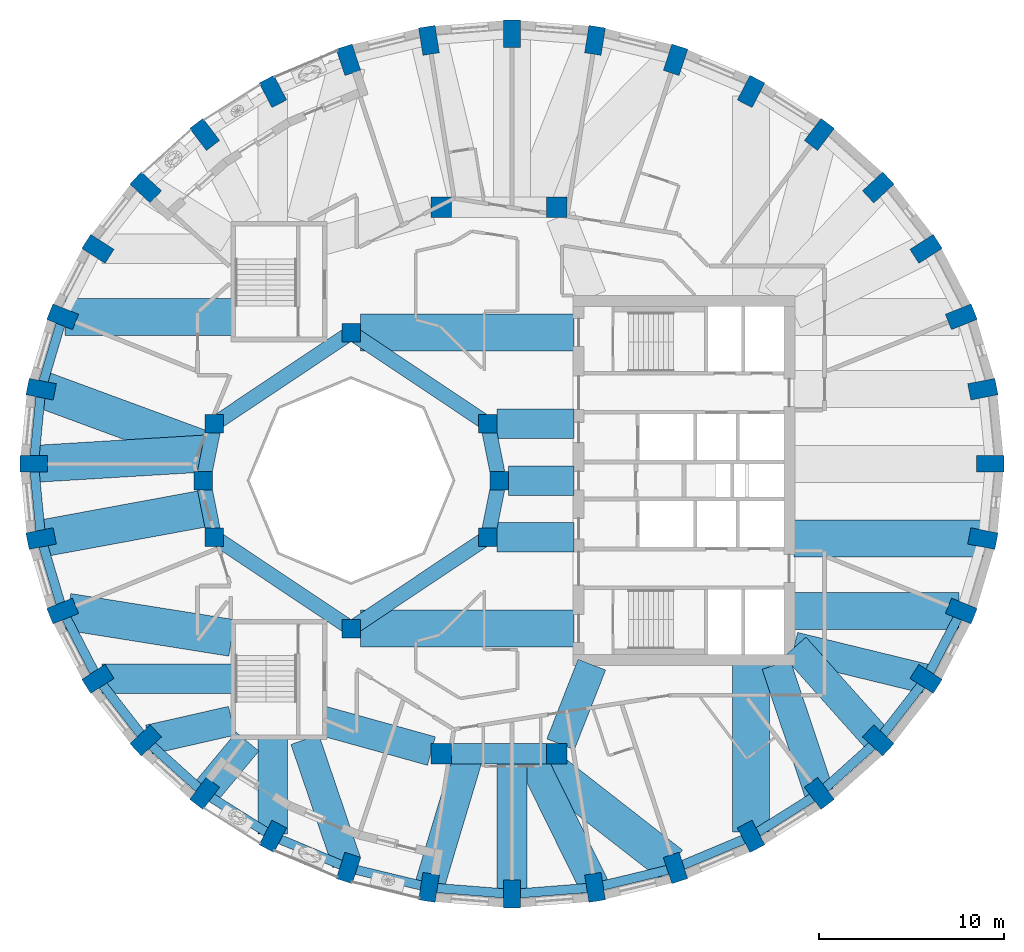
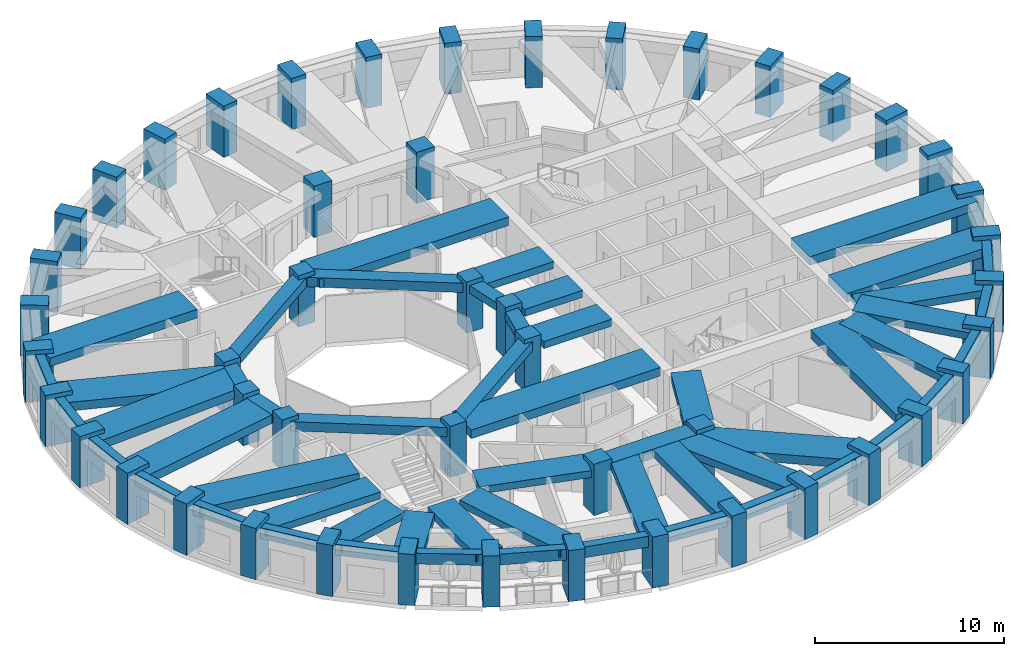
# One storey, part 1 of 12: 54 beams, 48 columns.
"""IFC4 building model written with IfcOpenShell, lengths in metres."""

import ifcopenshell
import ifcopenshell.guid

model = None  # the IFC model being written
_history = None  # IfcOwnerHistory: only IFC2X3 demands one
_inside = {}  # id of a spatial element -> (the spatial element, [elements in it])
_under = {}  # id of a project, library or spatial element -> (it, [spatial elements below it])
_declared = {}  # id of a project -> (the project, [libraries it declares])
_typed = {}  # id of a type object -> (the type object, [elements of that type])
_made_of = {}  # id of a material, layer set ... -> (it, [elements and type objects made of it])


def new_model(schema):
    """Start an empty IFC model of exactly this schema.

    Asked for "IFC4X3", IfcOpenShell would pick the latest addendum, in which some entities
    have other attributes; the version numbers below select the first issue.
    IFC2X3 requires an IfcOwnerHistory on every rooted entity: one is made here for all.
    """
    global model, _history
    if schema == "IFC4X3":
        model = ifcopenshell.file(schema_version=(4, 3, 0, 0))
    else:
        model = ifcopenshell.file(schema=schema)
    _inside.clear()
    _under.clear()
    _declared.clear()
    _typed.clear()
    _made_of.clear()
    _history = None
    if model.schema == "IFC2X3":
        org = make("IfcOrganization", Name="unknown")
        user = make(
            "IfcPersonAndOrganization",
            ThePerson=make("IfcPerson", FamilyName="unknown"),
            TheOrganization=org,
        )
        app = make(
            "IfcApplication",
            ApplicationDeveloper=org,
            Version="unknown",
            ApplicationFullName="unknown",
            ApplicationIdentifier="unknown",
        )
        _history = make(
            "IfcOwnerHistory",
            OwningUser=user,
            OwningApplication=app,
            ChangeAction="ADDED",
            CreationDate=0,
        )
    return model


def make(cls, **values):
    """One entity of the class cls with the attributes given. An attribute that is None is left unset."""
    return model.create_entity(
        cls, **{name: value for name, value in values.items() if value is not None}
    )


def rooted(cls, **values):
    """An entity with a GlobalId (a new one), such as an element, a storey or a relation."""
    return make(cls, GlobalId=ifcopenshell.guid.new(), OwnerHistory=_history, **values)


def si_unit(unit_type, name, prefix=None):
    """IfcSIUnit, for example si_unit("LENGTHUNIT", "METRE", prefix="MILLI")."""
    return make("IfcSIUnit", UnitType=unit_type, Prefix=prefix, Name=name)


def assignment(units):
    """IfcUnitAssignment: the units of a project."""
    return None if units is None else make("IfcUnitAssignment", Units=units)


def point(xyz):
    """IfcCartesianPoint."""
    return None if xyz is None else make("IfcCartesianPoint", Coordinates=xyz)


def direction(xyz):
    """IfcDirection."""
    return None if xyz is None else make("IfcDirection", DirectionRatios=xyz)


def frame(location, z_axis=None, x_axis=None):
    """IfcAxis2Placement3D, a coordinate frame: its origin and axes. An axis left out is left unset."""
    return make(
        "IfcAxis2Placement3D",
        Location=point(location),
        Axis=direction(z_axis),
        RefDirection=direction(x_axis),
    )


def frame_2d(location, x_axis=None):
    """IfcAxis2Placement2D, a coordinate frame in the plane: its origin and x axis."""
    return make(
        "IfcAxis2Placement2D", Location=point(location), RefDirection=direction(x_axis)
    )


def origin():
    """The frame at (0, 0, 0) with its axes left unset."""
    return frame((0.0, 0.0, 0.0))


def origin_2d():
    """The frame at (0, 0) in the plane with its x axis left unset."""
    return frame_2d((0.0, 0.0))


def place(relative_to, where):
    """IfcLocalPlacement: puts the frame where relative to a parent placement (None: the world)."""
    return make(
        "IfcLocalPlacement", PlacementRelTo=relative_to, RelativePlacement=where
    )


def context(
    kind, dimensions, precision=None, world=None, true_north=None, identifier=None
):
    """IfcGeometricRepresentationContext, for example the 3D "Model" context."""
    return make(
        "IfcGeometricRepresentationContext",
        ContextIdentifier=identifier,
        ContextType=kind,
        CoordinateSpaceDimension=dimensions,
        Precision=precision,
        WorldCoordinateSystem=world,
        TrueNorth=true_north,
    )


def subcontext(parent, identifier, kind, view, scale=None):
    """IfcGeometricRepresentationSubContext, for example "Body" below "Model"."""
    return make(
        "IfcGeometricRepresentationSubContext",
        ContextIdentifier=identifier,
        ContextType=kind,
        ParentContext=parent,
        TargetScale=scale,
        TargetView=view,
    )


def project(units=None, contexts=None):
    """IfcProject with its units and contexts."""
    return rooted(
        "IfcProject",
        Name="project",
        RepresentationContexts=contexts,
        UnitsInContext=assignment(units),
    )


def spatial(cls, under=None, at=None, **own):
    """A site, building, storey or space (cls), placed at a placement, below another one or the project."""
    s = rooted(cls, ObjectPlacement=at, **own)
    if under is not None:
        _under.setdefault(under.id(), (under, []))[1].append(s)
    return s


def profile(cls, at=None, kind="AREA", **sizes):
    """A parametric profile (cls). Its sizes go by their IFC names, for example OverallWidth=200.0."""
    return make(cls, ProfileType=kind, Position=at, **sizes)


def rectangle(**sizes):
    """IfcRectangleProfileDef."""
    return profile("IfcRectangleProfileDef", **sizes)


def extrude(swept, where, along, depth):
    """IfcExtrudedAreaSolid: the profile swept, set in the frame where, extruded along a direction by depth."""
    return make(
        "IfcExtrudedAreaSolid",
        SweptArea=swept,
        Position=where,
        ExtrudedDirection=direction(along),
        Depth=depth,
    )


def shape(context_of_items, identifier, shape_type, items):
    """IfcShapeRepresentation: the items that make up one representation, for example the "Body"."""
    return make(
        "IfcShapeRepresentation",
        ContextOfItems=context_of_items,
        RepresentationIdentifier=identifier,
        RepresentationType=shape_type,
        Items=items,
    )


def material(Name=None, Category=None):
    """IfcMaterial."""
    return make("IfcMaterial", Name=Name, Category=Category)


def material_profile(
    of_material, cross_section, Name=None, Category=None, Priority=None
):
    """IfcMaterialProfile: a cross section and its material."""
    return make(
        "IfcMaterialProfile",
        Name=Name,
        Material=of_material,
        Profile=cross_section,
        Priority=Priority,
        Category=Category,
    )


def profile_set(profiles, Name=None, composite=None):
    """IfcMaterialProfileSet."""
    return make(
        "IfcMaterialProfileSet",
        Name=Name,
        MaterialProfiles=profiles,
        CompositeProfile=composite,
    )


def made_of(thing, what):
    """Note that an element or type object is made of a material, layer set ...; save() writes the relation."""
    if what is not None:
        _made_of.setdefault(what.id(), (what, []))[1].append(thing)
    return thing


def type_object(cls, material=None, **own):
    """A type object (cls), such as IfcWallType, which elements share."""
    return made_of(rooted(cls, **own), material)


def element(
    cls,
    number,
    at=None,
    inside=None,
    cuts=None,
    type_object=None,
    material=None,
    context=None,
    identifier="Body",
    shape_type=None,
    held_by="IfcProductDefinitionShape",
    body=None,
    shapes=None,
    **own,
):
    """One element of the class cls, such as IfcWall. Its Tag is "e" and its number.

    at: its placement. inside: the storey or other place that contains it. cuts: it is an
    opening in that element (IfcRelVoidsElement). A single representation is given by context,
    identifier, shape_type and body (its items); several are given by shapes. held_by: the class
    of the entity that holds the representations. save() writes the other relations.
    """
    e = rooted(cls, Tag="e%d" % number, ObjectPlacement=at, **own)
    if body is not None:
        shapes = [shape(context, identifier, shape_type, body)]
    if shapes is not None:
        e.Representation = make(held_by, Representations=shapes)
    if inside is not None:
        _inside.setdefault(inside.id(), (inside, []))[1].append(e)
    if cuts is not None:
        rooted(
            "IfcRelVoidsElement", RelatingBuildingElement=cuts, RelatedOpeningElement=e
        )
    if type_object is not None:
        _typed.setdefault(type_object.id(), (type_object, []))[1].append(e)
    return made_of(e, material)


def aggregate(whole, parts):
    """IfcRelAggregates: a whole, such as a stair, and the parts it consists of."""
    return rooted("IfcRelAggregates", RelatingObject=whole, RelatedObjects=parts)


def save(model, path):
    """Write the relations noted so far, then the file.

    IfcRelAggregates (storeys below a building ...), IfcRelContainedInSpatialStructure (elements
    in a storey), IfcRelDefinesByType, IfcRelAssociatesMaterial and IfcRelDeclares: one each for
    every whole, place, type object, material and project.
    """
    for whole, parts in _under.values():
        aggregate(whole, parts)
    for where, things in _inside.values():
        rooted(
            "IfcRelContainedInSpatialStructure",
            RelatedElements=things,
            RelatingStructure=where,
        )
    for kind, things in _typed.values():
        rooted("IfcRelDefinesByType", RelatedObjects=things, RelatingType=kind)
    for what, things in _made_of.values():
        rooted("IfcRelAssociatesMaterial", RelatedObjects=things, RelatingMaterial=what)
    for by, libraries in _declared.values():
        rooted("IfcRelDeclares", RelatingContext=by, RelatedDefinitions=libraries)
    model.write(path)


model = new_model("IFC4")

# Units and contexts
model_context = context("Model", 3, precision=1e-05, world=origin(), true_north=direction((0.0, 1.0)))
body_context = subcontext(model_context, "Body", "Model", "MODEL_VIEW")
ifc_project = project(units=[si_unit("LENGTHUNIT", "METRE"), si_unit("AREAUNIT", "SQUARE_METRE"), si_unit("VOLUMEUNIT", "CUBIC_METRE"), si_unit("PLANEANGLEUNIT", "RADIAN"), si_unit("MASSUNIT", "GRAM", prefix="KILO")], contexts=[model_context])

# Site, building, storey
site_placement = place(None, origin())
site = spatial("IfcSite", under=ifc_project, at=site_placement, CompositionType="ELEMENT")
building_placement = place(site_placement, origin())
building = spatial("IfcBuilding", under=site, at=building_placement, Name="Taillehof Tower", CompositionType="ELEMENT")
storey_placement = place(building_placement, frame((0.0, 0.0, 212.300048828125)))
storey = spatial("IfcBuildingStorey", under=building, at=storey_placement, Name="L60", CompositionType="ELEMENT", Elevation=212.300048828125)

# Columns
ifc_material_1 = material(Name="Concrete C50/60", Category="concrete")
ifc_material_profile_1 = material_profile(ifc_material_1, rectangle(XDim=1.0, YDim=1.0, at=origin_2d()), Name="RC 1000x1000")
ifc_profile_set_1 = profile_set([ifc_material_profile_1], Name="Concrete C50/60")
column_type_1 = type_object("IfcColumnType", Name="Atrium ring column C50/60 1000x1000", PredefinedType="COLUMN", material=ifc_profile_set_1)
for number, where, z_axis, x_axis, name in (
    (1, (0.0, 0.0, 0.0), (0.0, 0.0, 1.0), (1.0, 0.0, 0.0), "Column AC01"),
    (2, (-0.60888671875, 3.0615234375, 0.0), (0.0, 0.0, 1.0), (1.0, 0.0, 0.0), "Column AC02"),
    (3, (-8.0, 8.0, 0.0), (0.0, 0.0, 1.0), (1.0, 0.0, 0.0), "Column AC05"),
    (4, (-15.39111328125, 3.0615234375, 0.0), (0.0, 0.0, 1.0), (1.0, 0.0, 0.0), "Column AC08"),
    (5, (-16.0, 0.0, 0.0), (0.0, 0.0, 1.0), (1.0, 0.0, 0.0), "Column AC09"),
    (6, (-15.39111328125, -3.0615234375, 0.0), (0.0, 0.0, 1.0), (1.0, 0.0, 0.0), "Column AC10"),
    (7, (-8.0, -8.0, 0.0), (0.0, 0.0, 1.0), (1.0, 0.0, 0.0), "Column AC13"),
    (8, (-0.60888671875, -3.0615234375, 0.0), (0.0, 0.0, 1.0), (1.0, 0.0, 0.0), "Column AC16"),
):
    element("IfcColumn", number, at=place(storey_placement, frame(where, z_axis=z_axis, x_axis=x_axis)), inside=storey, type_object=column_type_1, Name=name, PredefinedType="COLUMN", context=body_context, shape_type="SweptSolid", body=[
        extrude(rectangle(XDim=1.0, YDim=1.0, at=origin_2d()), origin(), (0.0, 0.0, 1.0), 3.300048828125),
    ])
ifc_material_2 = material(Name="Concrete C50/60", Category="concrete")
ifc_material_profile_2 = material_profile(ifc_material_2, rectangle(XDim=1.10009765625, YDim=1.10009765625, at=origin_2d()), Name="RC 1100x1100")
ifc_profile_set_2 = profile_set([ifc_material_profile_2], Name="Concrete C50/60")
column_type_2 = type_object("IfcColumnType", Name="Mid-ring column C50/60 1100x1100", PredefinedType="COLUMN", material=ifc_profile_set_2)
for number, where, z_axis, x_axis, name in (
    (9, (3.125732421875, 14.772216796875, 0.0), (0.0, 0.0, 1.0), (1.0, 0.0, 0.0), "Column MC05"),
    (10, (-3.125732421875, 14.772216796875, 0.0), (0.0, 0.0, 1.0), (1.0, 0.0, 0.0), "Column MC06"),
    (11, (-3.125732421875, -14.772216796875, 0.0), (0.0, 0.0, 1.0), (1.0, 0.0, 0.0), "Column MC14"),
    (12, (3.125732421875, -14.772216796875, 0.0), (0.0, 0.0, 1.0), (1.0, 0.0, 0.0), "Column MC15"),
):
    element("IfcColumn", number, at=place(storey_placement, frame(where, z_axis=z_axis, x_axis=x_axis)), inside=storey, type_object=column_type_2, Name=name, PredefinedType="COLUMN", context=body_context, shape_type="SweptSolid", body=[
        extrude(rectangle(XDim=1.10009765625, YDim=1.10009765625, at=origin_2d()), origin(), (0.0, 0.0, 1.0), 3.300048828125),
    ])
ifc_material_3 = material(Name="Concrete C60/75", Category="concrete")
ifc_material_profile_3 = material_profile(ifc_material_3, rectangle(XDim=1.5, YDim=0.89990234375, at=origin_2d()), Name="RC 1500x900")
ifc_profile_set_3 = profile_set([ifc_material_profile_3], Name="Concrete C60/75")
column_type_3 = type_object("IfcColumnType", Name="Ring column C60/75 1500x900", PredefinedType="COLUMN", material=ifc_profile_set_3)
for number, where, z_axis, x_axis, name in (
    (13, (26.550048828125, 0.89990234375, 0.0), (0.0, 0.0, 1.0), (1.0, 0.0, 0.0), "Ring column RC01"),
    (14, (26.1572265625, 4.937255859375, 0.0), (0.0, 0.0, 1.0), (0.981433894538, 0.191800705555, 0.0), "Ring column RC02"),
    (15, (24.990966796875, 8.85205078125, 0.0), (0.0, 0.0, 1.0), (0.927385290523, 0.374107635477, 0.0), "Ring column RC03"),
    (16, (23.086669921875, 12.52490234375, 0.0), (0.0, 0.0, 1.0), (0.84231094199, 0.538991908107, 0.0), "Ring column RC04"),
    (17, (20.502197265625, 15.8447265625, 0.0), (0.0, 0.0, 1.0), (0.732270888356, 0.681013469813, 0.0), "Ring column RC05"),
    (18, (17.316162109375, 18.71044921875, 0.0), (0.0, 0.0, 1.0), (0.60360770772, 0.797281465469, 0.0), "Ring column RC06"),
    (19, (13.625, 21.03515625, 0.0), (0.0, 0.0, 1.0), (0.461993199576, 0.886883466722, 0.0), "Ring column RC07"),
    (20, (9.541259765625, 22.747802734375, 0.0), (0.0, 0.0, 1.0), (0.312001306843, 0.950081672557, 0.0), "Ring column RC08"),
    (21, (5.188720703125, 23.796875, 0.0), (0.0, 0.0, 1.0), (0.157116034607, 0.987580149491, 0.0), "Ring column RC09"),
    (22, (0.699951171875, 24.14990234375, 0.0), (0.0, 0.0, 1.0), (0.0, 1.0, 0.0), "Ring column RC10"),
    (23, (-3.788818359375, 23.796875, 0.0), (0.0, 0.0, 1.0), (-0.157116034607, 0.987580149491, 0.0), "Ring column RC11"),
    (24, (-8.14111328125, 22.747802734375, 0.0), (0.0, 0.0, 1.0), (-0.312001306843, 0.950081672557, 0.0), "Ring column RC12"),
    (25, (-12.22509765625, 21.03515625, 0.0), (0.0, 0.0, 1.0), (-0.461993199576, 0.886883466722, 0.0), "Ring column RC13"),
    (26, (-15.916015625, 18.71044921875, 0.0), (0.0, 0.0, 1.0), (-0.60360770772, 0.797281465469, 0.0), "Ring column RC14"),
    (27, (-19.102294921875, 15.8447265625, 0.0), (0.0, 0.0, 1.0), (-0.732270888356, 0.681013469813, 0.0), "Ring column RC15"),
    (28, (-21.686767578125, 12.52490234375, 0.0), (0.0, 0.0, 1.0), (-0.84231094199, 0.538991908107, 0.0), "Ring column RC16"),
    (29, (-23.591064453125, 8.85205078125, 0.0), (0.0, 0.0, 1.0), (-0.927385290523, 0.374107635477, 0.0), "Ring column RC17"),
    (30, (-24.75732421875, 4.937255859375, 0.0), (0.0, 0.0, 1.0), (-0.981433894538, 0.191800705555, 0.0), "Ring column RC18"),
    (31, (-25.14990234375, 0.89990234375, 0.0), (0.0, 0.0, 1.0), (-1.0, 0.0, 0.0), "Ring column RC19"),
    (32, (-24.75732421875, -3.13720703125, 0.0), (0.0, 0.0, 1.0), (-0.981433894538, -0.191800705555, 0.0), "Ring column RC20"),
    (33, (-23.591064453125, -7.052001953125, 0.0), (0.0, 0.0, 1.0), (-0.927385290523, -0.374107635477, 0.0), "Ring column RC21"),
    (34, (-21.686767578125, -10.72509765625, 0.0), (0.0, 0.0, 1.0), (-0.84231094199, -0.538991908107, 0.0), "Ring column RC22"),
    (35, (-19.102294921875, -14.044921875, 0.0), (0.0, 0.0, 1.0), (-0.732270888356, -0.681013469813, 0.0), "Ring column RC23"),
    (36, (-15.916015625, -16.91064453125, 0.0), (0.0, 0.0, 1.0), (-0.60360770772, -0.797281465469, 0.0), "Ring column RC24"),
    (37, (-12.22509765625, -19.235107421875, 0.0), (0.0, 0.0, 1.0), (-0.461993199576, -0.886883466722, 0.0), "Ring column RC25"),
    (38, (-8.14111328125, -20.94775390625, 0.0), (0.0, 0.0, 1.0), (-0.312001306843, -0.950081672557, 0.0), "Ring column RC26"),
    (39, (-3.788818359375, -21.996826171875, 0.0), (0.0, 0.0, 1.0), (-0.157116034607, -0.987580149491, 0.0), "Ring column RC27"),
    (40, (0.699951171875, -22.35009765625, 0.0), (0.0, 0.0, 1.0), (0.0, -1.0, 0.0), "Ring column RC28"),
    (41, (5.188720703125, -21.996826171875, 0.0), (0.0, 0.0, 1.0), (0.157116034607, -0.987580149491, 0.0), "Ring column RC29"),
    (42, (9.541259765625, -20.94775390625, 0.0), (0.0, 0.0, 1.0), (0.312001306843, -0.950081672557, 0.0), "Ring column RC30"),
    (43, (13.625, -19.235107421875, 0.0), (0.0, 0.0, 1.0), (0.461993199576, -0.886883466722, 0.0), "Ring column RC31"),
    (44, (17.316162109375, -16.91064453125, 0.0), (0.0, 0.0, 1.0), (0.60360770772, -0.797281465469, 0.0), "Ring column RC32"),
    (45, (20.502197265625, -14.044921875, 0.0), (0.0, 0.0, 1.0), (0.732270888356, -0.681013469813, 0.0), "Ring column RC33"),
    (46, (23.086669921875, -10.72509765625, 0.0), (0.0, 0.0, 1.0), (0.84231094199, -0.538991908107, 0.0), "Ring column RC34"),
    (47, (24.990966796875, -7.052001953125, 0.0), (0.0, 0.0, 1.0), (0.927385290523, -0.374107635477, 0.0), "Ring column RC35"),
    (48, (26.1572265625, -3.13720703125, 0.0), (0.0, 0.0, 1.0), (0.981433894538, -0.191800705555, 0.0), "Ring column RC36"),
):
    element("IfcColumn", number, at=place(storey_placement, frame(where, z_axis=z_axis, x_axis=x_axis)), inside=storey, type_object=column_type_3, Name=name, PredefinedType="COLUMN", context=body_context, shape_type="SweptSolid", body=[
        extrude(rectangle(XDim=1.5, YDim=0.89990234375, at=origin_2d()), origin(), (0.0, 0.0, 1.0), 3.300048828125),
    ])

# Beams
ifc_material_4 = material(Name="Concrete C50/60", Category="concrete")
ifc_material_profile_4 = material_profile(ifc_material_4, rectangle(XDim=0.800048828125, YDim=0.5, at=origin_2d()), Name="RC 800x500")
ifc_profile_set_4 = profile_set([ifc_material_profile_4], Name="Concrete C50/60")
beam_type_1 = type_object("IfcBeamType", Name="Atrium ring beam C50/60 800x500", PredefinedType="BEAM", material=ifc_profile_set_4)
for number, where, z_axis, x_axis, name in (
    (49, (0.0, 0.0, 2.77001953125), (-0.195063155143, 0.980790683839, 0.0), (-0.980790683839, -0.195063155143, 0.0), "Atrium ring beam AB01"),
    (50, (-15.39111328125, 3.0615234375, 2.77001953125), (-0.195063155143, -0.980790683839, 0.0), (0.980790683839, -0.195063155143, 0.0), "Atrium ring beam AB04"),
    (51, (-16.0, 0.0, 2.77001953125), (0.195063155143, -0.980790683839, 0.0), (0.980790683839, 0.195063155143, 0.0), "Atrium ring beam AB05"),
    (52, (-0.60888671875, -3.0615234375, 2.77001953125), (0.195063155143, 0.980790683839, 0.0), (-0.980790683839, 0.195063155143, 0.0), "Atrium ring beam AB08"),
):
    element("IfcBeam", number, at=place(storey_placement, frame(where, z_axis=z_axis, x_axis=x_axis)), inside=storey, type_object=beam_type_1, Name=name, PredefinedType="BEAM", context=body_context, shape_type="SweptSolid", body=[
        extrude(rectangle(XDim=0.800048828125, YDim=0.5, at=origin_2d()), origin(), (0.0, 0.0, 1.0), 3.12158203125),
    ])
ifc_material_5 = material(Name="Concrete C50/60", Category="concrete")
ifc_material_profile_5 = material_profile(ifc_material_5, rectangle(XDim=0.800048828125, YDim=0.60009765625, at=origin_2d()), Name="RC 800x600")
ifc_profile_set_5 = profile_set([ifc_material_profile_5], Name="Concrete C50/60")
beam_type_2 = type_object("IfcBeamType", Name="Atrium ring beam C50/60 800x600", PredefinedType="BEAM", material=ifc_profile_set_5)
for number, where, z_axis, x_axis, name in (
    (53, (-0.60888671875, 3.0615234375, 2.719970703125), (-0.831475195687, 0.555561876804, 0.0), (-0.555561876804, -0.831475195687, 0.0), "Atrium ring beam AB02"),
    (54, (-8.0, 8.0, 2.719970703125), (-0.831475195687, -0.555561876804, 0.0), (0.555561876804, -0.831475195687, 0.0), "Atrium ring beam AB03"),
    (55, (-15.39111328125, -3.0615234375, 2.719970703125), (0.831475195687, -0.555561876804, 0.0), (0.555561876804, 0.831475195687, 0.0), "Atrium ring beam AB06"),
    (56, (-8.0, -8.0, 2.719970703125), (0.831475195687, 0.555561876804, 0.0), (-0.555561876804, 0.831475195687, 0.0), "Atrium ring beam AB07"),
):
    element("IfcBeam", number, at=place(storey_placement, frame(where, z_axis=z_axis, x_axis=x_axis)), inside=storey, type_object=beam_type_2, Name=name, PredefinedType="BEAM", context=body_context, shape_type="SweptSolid", body=[
        extrude(rectangle(XDim=0.800048828125, YDim=0.60009765625, at=origin_2d()), origin(), (0.0, 0.0, 1.0), 8.88916015625),
    ])
ifc_material_6 = material(Name="Concrete C50/60", Category="concrete")
ifc_material_profile_6 = material_profile(ifc_material_6, rectangle(XDim=1.10009765625, YDim=0.60009765625, at=origin_2d()), Name="RC 1100x600")
ifc_profile_set_6 = profile_set([ifc_material_profile_6], Name="Concrete C50/60")
beam_type_3 = type_object("IfcBeamType", Name="Mid-ring beam C50/60 1100x600", PredefinedType="BEAM", material=ifc_profile_set_6)
beam_1_placement = place(storey_placement, frame((-3.125732421875, -14.772216796875, 2.719970703125), z_axis=(1.0, 0.0, 0.0), x_axis=(0.0, 1.0, 0.0)))
element("IfcBeam", 57, at=beam_1_placement, inside=storey, type_object=beam_type_3, Name="Mid-ring beam MB02", PredefinedType="BEAM", context=body_context, shape_type="SweptSolid", body=[
    extrude(rectangle(XDim=1.10009765625, YDim=0.60009765625, at=origin_2d()), origin(), (0.0, 0.0, 1.0), 6.25146484375),
])
ifc_material_7 = material(Name="Concrete C50/60", Category="concrete")
ifc_material_profile_7 = material_profile(ifc_material_7, rectangle(XDim=1.60009765625, YDim=0.449951171875, at=origin_2d()), Name="RC 1600x450")
ifc_profile_set_7 = profile_set([ifc_material_profile_7], Name="Concrete C50/60")
beam_type_4 = type_object("IfcBeamType", Name="Radial band beam C50/60 1600x450", PredefinedType="BEAM", material=ifc_profile_set_7)
beam_2_placement = place(storey_placement, frame((-21.47021484375, -10.72509765625, 2.794921875), z_axis=(1.0, 0.0, 0.0), x_axis=(0.0, 1.0, 0.0)))
element("IfcBeam", 58, at=beam_2_placement, inside=storey, type_object=beam_type_4, Name="Radial band beam RB22", PredefinedType="BEAM", context=body_context, shape_type="SweptSolid", body=[
    extrude(rectangle(XDim=1.60009765625, YDim=0.449951171875, at=origin_2d()), origin(), (0.0, 0.0, 1.0), 7.020263671875),
])
beam_3_placement = place(storey_placement, frame((-18.929931640625, -14.005615234375, 2.794921875), z_axis=(0.975193914537, 0.221352273651, 0.0), x_axis=(-0.221352273651, 0.975193914537, 0.0)))
element("IfcBeam", 59, at=beam_3_placement, inside=storey, type_object=beam_type_4, Name="Radial band beam RB23", PredefinedType="BEAM", context=body_context, shape_type="SweptSolid", body=[
    extrude(rectangle(XDim=1.60009765625, YDim=0.449951171875, at=origin_2d()), origin(), (0.0, 0.0, 1.0), 4.5927734375),
])
beam_4_placement = place(storey_placement, frame((-15.916015625, -16.91064453125, 2.794921875), z_axis=(0.638722345868, 0.769437304066, 0.0), x_axis=(-0.769437304066, 0.638722345868, 0.0)))
element("IfcBeam", 60, at=beam_4_placement, inside=storey, type_object=beam_type_4, Name="Radial band beam RB24", PredefinedType="BEAM", context=body_context, shape_type="SweptSolid", body=[
    extrude(rectangle(XDim=1.60009765625, YDim=0.449951171875, at=origin_2d()), origin(), (0.0, 0.0, 1.0), 3.6328125),
])
beam_5_placement = place(storey_placement, frame((-12.22509765625, -19.101318359375, 2.794921875), z_axis=(0.0, 1.0, 0.0), x_axis=(-1.0, 0.0, 0.0)))
element("IfcBeam", 61, at=beam_5_placement, inside=storey, type_object=beam_type_4, Name="Radial band beam RB25", PredefinedType="BEAM", context=body_context, shape_type="SweptSolid", body=[
    extrude(rectangle(XDim=1.60009765625, YDim=0.449951171875, at=origin_2d()), origin(), (0.0, 0.0, 1.0), 5.1513671875),
])
beam_6_placement = place(storey_placement, frame((-8.233642578125, -20.675537109375, 2.794921875), z_axis=(-0.321475101084, 0.94691803203, 0.0), x_axis=(-0.94691803203, -0.321475101084, 0.0)))
element("IfcBeam", 62, at=beam_6_placement, inside=storey, type_object=beam_type_4, Name="Radial band beam RB26", PredefinedType="BEAM", context=body_context, shape_type="SweptSolid", body=[
    extrude(rectangle(XDim=1.60009765625, YDim=0.449951171875, at=origin_2d()), origin(), (0.0, 0.0, 1.0), 7.042236328125),
])
beam_7_placement = place(storey_placement, frame((-3.788818359375, -21.996826171875, 2.794921875), z_axis=(0.286825122153, 0.957982958774, 0.0), x_axis=(-0.957982958774, 0.286825122153, 0.0)))
element("IfcBeam", 63, at=beam_7_placement, inside=storey, type_object=beam_type_4, Name="Radial band beam RB27", PredefinedType="BEAM", context=body_context, shape_type="SweptSolid", body=[
    extrude(rectangle(XDim=1.60009765625, YDim=0.449951171875, at=origin_2d()), origin(), (0.0, 0.0, 1.0), 7.54150390625),
])
beam_8_placement = place(storey_placement, frame((0.699951171875, -22.35009765625, 2.794921875), z_axis=(0.0, 1.0, 0.0), x_axis=(-1.0, 0.0, 0.0)))
element("IfcBeam", 64, at=beam_8_placement, inside=storey, type_object=beam_type_4, Name="Radial band beam RB28", PredefinedType="BEAM", context=body_context, shape_type="SweptSolid", body=[
    extrude(rectangle(XDim=1.60009765625, YDim=0.449951171875, at=origin_2d()), origin(), (0.0, 0.0, 1.0), 7.577880859375),
])
beam_9_placement = place(storey_placement, frame((5.188720703125, -21.996826171875, 2.794921875), z_axis=(-0.442309181818, 0.896862635903, 0.0), x_axis=(-0.896862635903, -0.442309181818, 0.0)))
element("IfcBeam", 65, at=beam_9_placement, inside=storey, type_object=beam_type_4, Name="Radial band beam RB29", PredefinedType="BEAM", context=body_context, shape_type="SweptSolid", body=[
    extrude(rectangle(XDim=1.60009765625, YDim=0.449951171875, at=origin_2d()), origin(), (0.0, 0.0, 1.0), 8.055419921875),
])
beam_10_placement = place(storey_placement, frame((17.314697265625, -16.906494140625, 2.794921875), z_axis=(-0.317775276173, 0.948166058164, 0.0), x_axis=(-0.948166058164, -0.317775276173, 0.0)))
element("IfcBeam", 66, at=beam_10_placement, inside=storey, type_object=beam_type_4, Name="Radial band beam RB32", PredefinedType="BEAM", context=body_context, shape_type="SweptSolid", body=[
    extrude(rectangle(XDim=1.60009765625, YDim=0.449951171875, at=origin_2d()), origin(), (0.0, 0.0, 1.0), 7.333984375),
])
beam_11_placement = place(storey_placement, frame((20.502197265625, -14.044921875, 2.794921875), z_axis=(-0.665845101725, 0.746090008316, 0.0), x_axis=(-0.746090008316, -0.665845101725, 0.0)))
element("IfcBeam", 67, at=beam_11_placement, inside=storey, type_object=beam_type_4, Name="Radial band beam RB33", PredefinedType="BEAM", context=body_context, shape_type="SweptSolid", body=[
    extrude(rectangle(XDim=1.60009765625, YDim=0.449951171875, at=origin_2d()), origin(), (0.0, 0.0, 1.0), 6.766357421875),
])
beam_12_placement = place(storey_placement, frame((23.07568359375, -10.722412109375, 2.794921875), z_axis=(-0.971629977108, 0.236506210459, 0.0), x_axis=(-0.236506210459, -0.971629977108, 0.0)))
element("IfcBeam", 68, at=beam_12_placement, inside=storey, type_object=beam_type_4, Name="Radial band beam RB34", PredefinedType="BEAM", context=body_context, shape_type="SweptSolid", body=[
    extrude(rectangle(XDim=1.60009765625, YDim=0.449951171875, at=origin_2d()), origin(), (0.0, 0.0, 1.0), 7.332275390625),
])
beam_13_placement = place(storey_placement, frame((0.5, 0.0, 2.794921875), z_axis=(1.0, 0.0, 0.0), x_axis=(0.0, 1.0, 0.0)))
element("IfcBeam", 69, at=beam_13_placement, inside=storey, type_object=beam_type_4, Name="Inner band beam IB101", PredefinedType="BEAM", context=body_context, shape_type="SweptSolid", body=[
    extrude(rectangle(XDim=1.60009765625, YDim=0.449951171875, at=origin_2d()), origin(), (0.0, 0.0, 1.0), 3.550048828125),
])
for number, where, z_axis, x_axis, name in (
    (70, (-0.10888671875, 3.0615234375, 2.794921875), (1.0, 0.0, 0.0), (0.0, 1.0, 0.0), "Inner band beam IB102"),
    (71, (-0.10888671875, -3.0615234375, 2.794921875), (1.0, 0.0, 0.0), (0.0, 1.0, 0.0), "Inner band beam IB116"),
):
    element("IfcBeam", number, at=place(storey_placement, frame(where, z_axis=z_axis, x_axis=x_axis)), inside=storey, type_object=beam_type_4, Name=name, PredefinedType="BEAM", context=body_context, shape_type="SweptSolid", body=[
        extrude(rectangle(XDim=1.60009765625, YDim=0.449951171875, at=origin_2d()), origin(), (0.0, 0.0, 1.0), 4.158935546875),
    ])
beam_14_placement = place(storey_placement, frame((-3.655517578125, -14.624755859375, 2.794921875), z_axis=(-0.963459369536, 0.267854518821, 0.0), x_axis=(-0.267854518821, -0.963459369536, 0.0)))
element("IfcBeam", 72, at=beam_14_placement, inside=storey, type_object=beam_type_4, Name="Inner band beam IB214", PredefinedType="BEAM", context=body_context, shape_type="SweptSolid", body=[
    extrude(rectangle(XDim=1.60009765625, YDim=0.449951171875, at=origin_2d()), origin(), (0.0, 0.0, 1.0), 6.096923828125),
])
beam_15_placement = place(storey_placement, frame((3.32666015625, -14.26025390625, 2.794921875), z_axis=(0.365588707223, 0.930776502255, 0.0), x_axis=(-0.930776502255, 0.365588707223, 0.0)))
element("IfcBeam", 73, at=beam_15_placement, inside=storey, type_object=beam_type_4, Name="Inner band beam IB215", PredefinedType="BEAM", context=body_context, shape_type="SweptSolid", body=[
    extrude(rectangle(XDim=1.60009765625, YDim=0.449951171875, at=origin_2d()), origin(), (0.0, 0.0, 1.0), 4.627197265625),
])
ifc_material_8 = material(Name="Concrete C50/60", Category="concrete")
ifc_material_profile_8 = material_profile(ifc_material_8, rectangle(XDim=2.0, YDim=0.550048828125, at=origin_2d()), Name="RC 2000x550")
ifc_profile_set_8 = profile_set([ifc_material_profile_8], Name="Concrete C50/60")
beam_type_5 = type_object("IfcBeamType", Name="Radial band beam C50/60 2000x550", PredefinedType="BEAM", material=ifc_profile_set_8)
beam_16_placement = place(storey_placement, frame((-23.4560546875, 8.85205078125, 2.744873046875), z_axis=(1.0, 0.0, 0.0), x_axis=(0.0, 1.0, 0.0)))
element("IfcBeam", 74, at=beam_16_placement, inside=storey, type_object=beam_type_5, Name="Radial band beam RB17", PredefinedType="BEAM", context=body_context, shape_type="SweptSolid", body=[
    extrude(rectangle(XDim=2.0, YDim=0.550048828125, at=origin_2d()), origin(), (0.0, 0.0, 1.0), 9.006103515625),
])
beam_17_placement = place(storey_placement, frame((-24.75732421875, 4.937255859375, 2.744873046875), z_axis=(0.938209870924, -0.346066811615, 0.0), x_axis=(0.346066811615, 0.938209870924, 0.0)))
element("IfcBeam", 75, at=beam_17_placement, inside=storey, type_object=beam_type_5, Name="Radial band beam RB18", PredefinedType="BEAM", context=body_context, shape_type="SweptSolid", body=[
    extrude(rectangle(XDim=2.0, YDim=0.550048828125, at=origin_2d()), origin(), (0.0, 0.0, 1.0), 9.67138671875),
])
beam_18_placement = place(storey_placement, frame((-25.14990234375, 0.89990234375, 2.744873046875), z_axis=(0.998174819199, 0.060390647592, 0.0), x_axis=(-0.060390647592, 0.998174819199, 0.0)))
element("IfcBeam", 76, at=beam_18_placement, inside=storey, type_object=beam_type_5, Name="Radial band beam RB19", PredefinedType="BEAM", context=body_context, shape_type="SweptSolid", body=[
    extrude(rectangle(XDim=2.0, YDim=0.550048828125, at=origin_2d()), origin(), (0.0, 0.0, 1.0), 9.4599609375),
])
beam_19_placement = place(storey_placement, frame((-24.75732421875, -3.13720703125, 2.744873046875), z_axis=(0.983474452744, 0.181046957445, 0.0), x_axis=(-0.181046957445, 0.983474452744, 0.0)))
element("IfcBeam", 77, at=beam_19_placement, inside=storey, type_object=beam_type_5, Name="Radial band beam RB20", PredefinedType="BEAM", context=body_context, shape_type="SweptSolid", body=[
    extrude(rectangle(XDim=2.0, YDim=0.550048828125, at=origin_2d()), origin(), (0.0, 0.0, 1.0), 9.2021484375),
])
beam_20_placement = place(storey_placement, frame((-23.3076171875, -7.09716796875, 2.744873046875), z_axis=(0.987552836313, -0.157287620272, 0.0), x_axis=(0.157287620272, 0.987552836313, 0.0)))
element("IfcBeam", 78, at=beam_20_placement, inside=storey, type_object=beam_type_5, Name="Radial band beam RB21", PredefinedType="BEAM", context=body_context, shape_type="SweptSolid", body=[
    extrude(rectangle(XDim=2.0, YDim=0.550048828125, at=origin_2d()), origin(), (0.0, 0.0, 1.0), 8.968505859375),
])
beam_21_placement = place(storey_placement, frame((9.3076171875, -20.765625, 2.744873046875), z_axis=(-0.788425359087, 0.615130435882, 0.0), x_axis=(-0.615130435882, -0.788425359087, 0.0)))
element("IfcBeam", 79, at=beam_21_placement, inside=storey, type_object=beam_type_5, Name="Radial band beam RB30", PredefinedType="BEAM", context=body_context, shape_type="SweptSolid", body=[
    extrude(rectangle(XDim=2.0, YDim=0.550048828125, at=origin_2d()), origin(), (0.0, 0.0, 1.0), 9.35595703125),
])
beam_22_placement = place(storey_placement, frame((13.625, -18.99755859375, 2.744873046875), z_axis=(0.0, 1.0, 0.0), x_axis=(-1.0, 0.0, 0.0)))
element("IfcBeam", 80, at=beam_22_placement, inside=storey, type_object=beam_type_5, Name="Radial band beam RB31", PredefinedType="BEAM", context=body_context, shape_type="SweptSolid", body=[
    extrude(rectangle(XDim=2.0, YDim=0.550048828125, at=origin_2d()), origin(), (0.0, 0.0, 1.0), 9.047607421875),
])
beam_23_placement = place(storey_placement, frame((24.856201171875, -7.052001953125, 2.744873046875), z_axis=(-1.0, 0.0, 0.0), x_axis=(0.0, -1.0, 0.0)))
element("IfcBeam", 81, at=beam_23_placement, inside=storey, type_object=beam_type_5, Name="Radial band beam RB35", PredefinedType="BEAM", context=body_context, shape_type="SweptSolid", body=[
    extrude(rectangle(XDim=2.0, YDim=0.550048828125, at=origin_2d()), origin(), (0.0, 0.0, 1.0), 8.90625),
])
beam_24_placement = place(storey_placement, frame((26.1572265625, -3.13720703125, 2.744873046875), z_axis=(-1.0, 0.0, 0.0), x_axis=(0.0, -1.0, 0.0)))
element("IfcBeam", 82, at=beam_24_placement, inside=storey, type_object=beam_type_5, Name="Radial band beam RB36", PredefinedType="BEAM", context=body_context, shape_type="SweptSolid", body=[
    extrude(rectangle(XDim=2.0, YDim=0.550048828125, at=origin_2d()), origin(), (0.0, 0.0, 1.0), 10.207275390625),
])
for number, where, z_axis, x_axis, name in (
    (83, (-7.5, 8.0, 2.744873046875), (1.0, 0.0, 0.0), (0.0, 1.0, 0.0), "Inner band beam IB105"),
    (84, (-7.5, -8.0, 2.744873046875), (1.0, 0.0, 0.0), (0.0, 1.0, 0.0), "Inner band beam IB113"),
):
    element("IfcBeam", number, at=place(storey_placement, frame(where, z_axis=z_axis, x_axis=x_axis)), inside=storey, type_object=beam_type_5, Name=name, PredefinedType="BEAM", context=body_context, shape_type="SweptSolid", body=[
        extrude(rectangle(XDim=2.0, YDim=0.550048828125, at=origin_2d()), origin(), (0.0, 0.0, 1.0), 11.550048828125),
    ])
ifc_material_9 = material(Name="Concrete C50/60", Category="concrete")
ifc_material_profile_9 = material_profile(ifc_material_9, rectangle(XDim=0.5, YDim=0.699951171875, at=origin_2d()), Name="RC 500x700")
ifc_profile_set_9 = profile_set([ifc_material_profile_9], Name="Concrete C50/60")
beam_type_6 = type_object("IfcBeamType", Name="Spandrel beam C50/60 500x700", PredefinedType="SPANDREL", material=ifc_profile_set_9)
beam_25_placement = place(storey_placement, frame((-23.591064453125, 8.85205078125, 2.669921875), z_axis=(-0.285510458946, -0.9583755933, 0.0), x_axis=(0.9583755933, -0.285510458946, 0.0)))
element("IfcBeam", 85, at=beam_25_placement, inside=storey, type_object=beam_type_6, Name="Spandrel beam SB17", PredefinedType="SPANDREL", context=body_context, shape_type="SweptSolid", body=[
    extrude(rectangle(XDim=0.5, YDim=0.699951171875, at=origin_2d()), origin(), (0.0, 0.0, 1.0), 4.084716796875),
])
beam_26_placement = place(storey_placement, frame((-24.75732421875, 4.937255859375, 2.669921875), z_axis=(-0.096780051712, -0.995305793006, 0.0), x_axis=(0.995305793006, -0.096780051712, 0.0)))
element("IfcBeam", 86, at=beam_26_placement, inside=storey, type_object=beam_type_6, Name="Spandrel beam SB18", PredefinedType="SPANDREL", context=body_context, shape_type="SweptSolid", body=[
    extrude(rectangle(XDim=0.5, YDim=0.699951171875, at=origin_2d()), origin(), (0.0, 0.0, 1.0), 4.056396484375),
])
beam_27_placement = place(storey_placement, frame((-25.14990234375, 0.89990234375, 2.669921875), z_axis=(0.096785849576, -0.995305229225, 0.0), x_axis=(0.995305229225, 0.096785849576, 0.0)))
element("IfcBeam", 87, at=beam_27_placement, inside=storey, type_object=beam_type_6, Name="Spandrel beam SB19", PredefinedType="SPANDREL", context=body_context, shape_type="SweptSolid", body=[
    extrude(rectangle(XDim=0.5, YDim=0.699951171875, at=origin_2d()), origin(), (0.0, 0.0, 1.0), 4.05615234375),
])
beam_28_placement = place(storey_placement, frame((-24.75732421875, -3.13720703125, 2.669921875), z_axis=(0.285510458946, -0.9583755933, 0.0), x_axis=(0.9583755933, 0.285510458946, 0.0)))
element("IfcBeam", 88, at=beam_28_placement, inside=storey, type_object=beam_type_6, Name="Spandrel beam SB20", PredefinedType="SPANDREL", context=body_context, shape_type="SweptSolid", body=[
    extrude(rectangle(XDim=0.5, YDim=0.699951171875, at=origin_2d()), origin(), (0.0, 0.0, 1.0), 4.084716796875),
])
beam_29_placement = place(storey_placement, frame((-23.591064453125, -7.052001953125, 2.669921875), z_axis=(0.460265491458, -0.887781322947, 0.0), x_axis=(0.887781322947, 0.460265491458, 0.0)))
element("IfcBeam", 89, at=beam_29_placement, inside=storey, type_object=beam_type_6, Name="Spandrel beam SB21", PredefinedType="SPANDREL", context=body_context, shape_type="SweptSolid", body=[
    extrude(rectangle(XDim=0.5, YDim=0.699951171875, at=origin_2d()), origin(), (0.0, 0.0, 1.0), 4.137451171875),
])
beam_30_placement = place(storey_placement, frame((-21.686767578125, -10.72509765625, 2.669921875), z_axis=(0.614294081938, -0.789077170432, 0.0), x_axis=(0.789077170432, 0.614294081938, 0.0)))
element("IfcBeam", 90, at=beam_30_placement, inside=storey, type_object=beam_type_6, Name="Spandrel beam SB22", PredefinedType="SPANDREL", context=body_context, shape_type="SweptSolid", body=[
    extrude(rectangle(XDim=0.5, YDim=0.699951171875, at=origin_2d()), origin(), (0.0, 0.0, 1.0), 4.207275390625),
])
beam_31_placement = place(storey_placement, frame((-19.102294921875, -14.044921875, 2.669921875), z_axis=(0.743517893617, -0.668716039789, 0.0), x_axis=(0.668716039789, 0.743517893617, 0.0)))
element("IfcBeam", 91, at=beam_31_placement, inside=storey, type_object=beam_type_6, Name="Spandrel beam SB23", PredefinedType="SPANDREL", context=body_context, shape_type="SweptSolid", body=[
    extrude(rectangle(XDim=0.5, YDim=0.699951171875, at=origin_2d()), origin(), (0.0, 0.0, 1.0), 4.285400390625),
])
beam_32_placement = place(storey_placement, frame((-15.916015625, -16.91064453125, 2.669921875), z_axis=(0.846175819179, -0.532903821564, 0.0), x_axis=(0.532903821564, 0.846175819179, 0.0)))
element("IfcBeam", 92, at=beam_32_placement, inside=storey, type_object=beam_type_6, Name="Spandrel beam SB24", PredefinedType="SPANDREL", context=body_context, shape_type="SweptSolid", body=[
    extrude(rectangle(XDim=0.5, YDim=0.699951171875, at=origin_2d()), origin(), (0.0, 0.0, 1.0), 4.36181640625),
])
beam_33_placement = place(storey_placement, frame((-12.22509765625, -19.235107421875, 2.669921875), z_axis=(0.922193747603, -0.386728188632, 0.0), x_axis=(0.386728188632, 0.922193747603, 0.0)))
element("IfcBeam", 93, at=beam_33_placement, inside=storey, type_object=beam_type_6, Name="Spandrel beam SB25", PredefinedType="SPANDREL", context=body_context, shape_type="SweptSolid", body=[
    extrude(rectangle(XDim=0.5, YDim=0.699951171875, at=origin_2d()), origin(), (0.0, 0.0, 1.0), 4.428466796875),
])
beam_34_placement = place(storey_placement, frame((-8.14111328125, -20.94775390625, 2.669921875), z_axis=(0.972157646478, -0.234327784087, 0.0), x_axis=(0.234327784087, 0.972157646478, 0.0)))
element("IfcBeam", 94, at=beam_34_placement, inside=storey, type_object=beam_type_6, Name="Spandrel beam SB26", PredefinedType="SPANDREL", context=body_context, shape_type="SweptSolid", body=[
    extrude(rectangle(XDim=0.5, YDim=0.699951171875, at=origin_2d()), origin(), (0.0, 0.0, 1.0), 4.47705078125),
])
for number, where, z_axis, x_axis, name in (
    (95, (-3.788818359375, -21.996826171875, 2.669921875), (0.996917374369, -0.078458579393, 0.0), (0.078458579393, 0.996917374369, 0.0), "Spandrel beam SB27"),
    (96, (0.699951171875, -22.35009765625, 2.669921875), (0.996917374369, 0.078458579393, 0.0), (-0.078458579393, 0.996917374369, 0.0), "Spandrel beam SB28"),
):
    element("IfcBeam", number, at=place(storey_placement, frame(where, z_axis=z_axis, x_axis=x_axis)), inside=storey, type_object=beam_type_6, Name=name, PredefinedType="SPANDREL", context=body_context, shape_type="SweptSolid", body=[
        extrude(rectangle(XDim=0.5, YDim=0.699951171875, at=origin_2d()), origin(), (0.0, 0.0, 1.0), 4.502685546875),
    ])
beam_35_placement = place(storey_placement, frame((5.188720703125, -21.996826171875, 2.669921875), z_axis=(0.972160640613, 0.234315361943, 0.0), x_axis=(-0.234315361943, 0.972160640613, 0.0)))
element("IfcBeam", 97, at=beam_35_placement, inside=storey, type_object=beam_type_6, Name="Spandrel beam SB29", PredefinedType="SPANDREL", context=body_context, shape_type="SweptSolid", body=[
    extrude(rectangle(XDim=0.5, YDim=0.699951171875, at=origin_2d()), origin(), (0.0, 0.0, 1.0), 4.477294921875),
])
beam_36_placement = place(storey_placement, frame((9.541259765625, -20.94775390625, 2.669921875), z_axis=(0.92218550199, 0.386747850569, 0.0), x_axis=(-0.386747850569, 0.92218550199, 0.0)))
element("IfcBeam", 98, at=beam_36_placement, inside=storey, type_object=beam_type_6, Name="Spandrel beam SB30", PredefinedType="SPANDREL", context=body_context, shape_type="SweptSolid", body=[
    extrude(rectangle(XDim=0.5, YDim=0.699951171875, at=origin_2d()), origin(), (0.0, 0.0, 1.0), 4.42822265625),
])
beam_37_placement = place(storey_placement, frame((13.625, -19.235107421875, 2.669921875), z_axis=(0.846191713174, 0.532878583314, 0.0), x_axis=(-0.532878583314, 0.846191713174, 0.0)))
element("IfcBeam", 99, at=beam_37_placement, inside=storey, type_object=beam_type_6, Name="Spandrel beam SB31", PredefinedType="SPANDREL", context=body_context, shape_type="SweptSolid", body=[
    extrude(rectangle(XDim=0.5, YDim=0.699951171875, at=origin_2d()), origin(), (0.0, 0.0, 1.0), 4.362060546875),
])
beam_38_placement = place(storey_placement, frame((17.316162109375, -16.91064453125, 2.669921875), z_axis=(0.743492416006, 0.668744366213, 0.0), x_axis=(-0.668744366213, 0.743492416006, 0.0)))
element("IfcBeam", 100, at=beam_38_placement, inside=storey, type_object=beam_type_6, Name="Spandrel beam SB32", PredefinedType="SPANDREL", context=body_context, shape_type="SweptSolid", body=[
    extrude(rectangle(XDim=0.5, YDim=0.699951171875, at=origin_2d()), origin(), (0.0, 0.0, 1.0), 4.28515625),
])
beam_39_placement = place(storey_placement, frame((20.502197265625, -14.044921875, 2.669921875), z_axis=(0.614294081938, 0.789077170432, 0.0), x_axis=(-0.789077170432, 0.614294081938, 0.0)))
element("IfcBeam", 101, at=beam_39_placement, inside=storey, type_object=beam_type_6, Name="Spandrel beam SB33", PredefinedType="SPANDREL", context=body_context, shape_type="SweptSolid", body=[
    extrude(rectangle(XDim=0.5, YDim=0.699951171875, at=origin_2d()), origin(), (0.0, 0.0, 1.0), 4.207275390625),
])
beam_40_placement = place(storey_placement, frame((23.086669921875, -10.72509765625, 2.669921875), z_axis=(0.460265491458, 0.887781322947, 0.0), x_axis=(-0.887781322947, 0.460265491458, 0.0)))
element("IfcBeam", 102, at=beam_40_placement, inside=storey, type_object=beam_type_6, Name="Spandrel beam SB34", PredefinedType="SPANDREL", context=body_context, shape_type="SweptSolid", body=[
    extrude(rectangle(XDim=0.5, YDim=0.699951171875, at=origin_2d()), origin(), (0.0, 0.0, 1.0), 4.137451171875),
])

save(model, "model.ifc")
